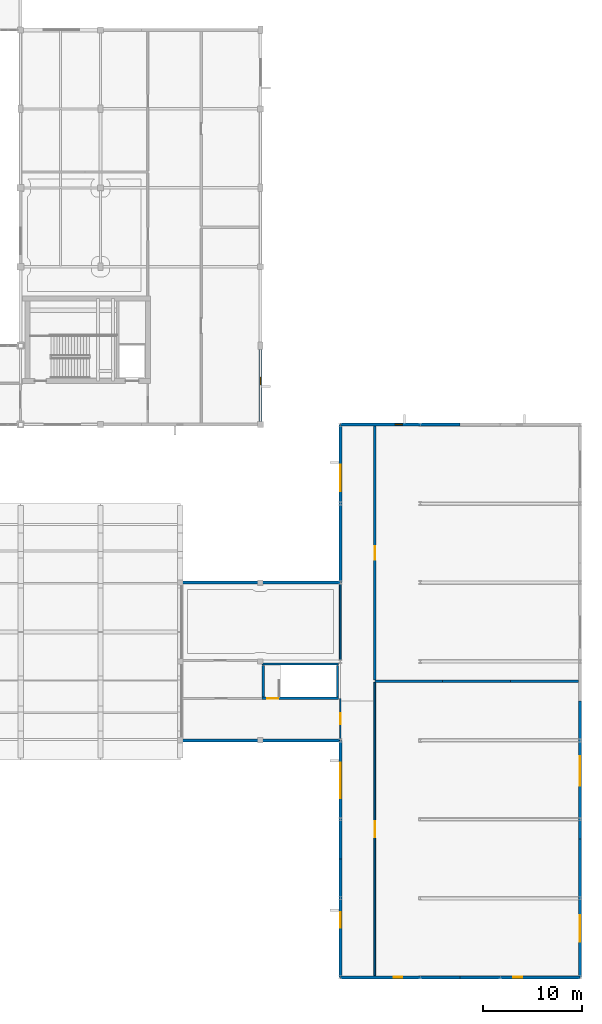
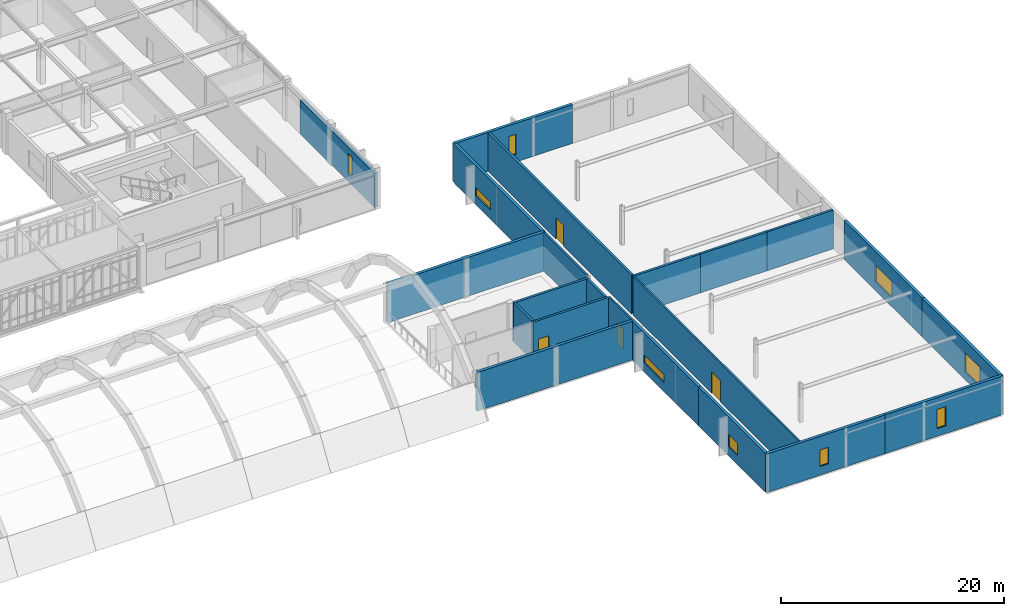
# One storey, part 55 of 67: 22 walls, 9 windows, 4 doors, 13 openings.
"""IFC4 building model written with IfcOpenShell, lengths in metres."""

from ifc_helpers import new_model, si_unit, direction, frame, frame_2d, origin, place, context, subcontext, project, spatial, rectangle, extrude, material, layer, layer_set, type_object, element, fill, save


model = new_model("IFC4")

# Units and contexts
model_context = context("Model", 3, precision=1e-05, world=origin(), true_north=direction((0.0, 1.0)))
body_context = subcontext(model_context, "Body", "Model", "MODEL_VIEW")
ifc_project = project(units=[si_unit("LENGTHUNIT", "METRE"), si_unit("AREAUNIT", "SQUARE_METRE"), si_unit("VOLUMEUNIT", "CUBIC_METRE"), si_unit("PLANEANGLEUNIT", "RADIAN"), si_unit("MASSUNIT", "GRAM", prefix="KILO")], contexts=[model_context])

# Site, building, storey
site_placement = place(None, origin())
site = spatial("IfcSite", under=ifc_project, at=site_placement, CompositionType="ELEMENT")
building_placement = place(site_placement, origin())
building = spatial("IfcBuilding", under=site, at=building_placement, Name="Tarnveldt Square Police Headquarters", CompositionType="ELEMENT")
storey_placement = place(building_placement, frame((0.0, 0.0, 10.199951171875)))
storey = spatial("IfcBuildingStorey", under=building, at=storey_placement, Name="L02", CompositionType="ELEMENT", Elevation=10.199951171875)

# Wall, opening, window
ifc_material_1 = material(Name="Concrete 40 MPa", Category="concrete")
ifc_layer_1 = layer(ifc_material_1, 0.320068359375)
ifc_layer_set_1 = layer_set([ifc_layer_1], Name="Concrete 40 MPa")
wall_type_1 = type_object("IfcWallType", Name="WL-EXT-BH320", PredefinedType="SOLIDWALL", material=ifc_layer_set_1)
wall_1_placement = place(storey_placement, frame((129.60009765625, 56.0, 0.0), z_axis=(0.0, 0.0, 1.0), x_axis=(0.0, 1.0, 0.0)))
wall_1 = element("IfcWall", 1, at=wall_1_placement, inside=storey, type_object=wall_type_1, Name="L02 Brutalist Exterior Wall 0123", PredefinedType="SOLIDWALL", context=body_context, shape_type="SweptSolid", body=[
    extrude(rectangle(XDim=13.333251953125, YDim=0.320068359375, at=frame_2d((6.66650390625, 0.0))), origin(), (0.0, 0.0, 1.0), 3.73193359375),
])
opening_1_placement = place(wall_1_placement, frame((4.050048828125, 0.0, 0.85009765625)))
opening_1 = element("IfcOpeningElement", 2, at=opening_1_placement, cuts=wall_1, Name="Opening W21", PredefinedType="OPENING", context=body_context, shape_type="SweptSolid", body=[
    extrude(rectangle(XDim=0.75, YDim=2.199951171875, at=frame_2d((0.375, 1.10009765625))), frame((0.0, 0.169921875, 0.0), z_axis=(0.0, -1.0, 0.0), x_axis=(1.0, 0.0, 0.0)), (0.0, 0.0, 1.0), 0.340087890625),
])
ifc_material_2 = material(Name="Triple-glazed low-e laminated vision glass", Category="glass")
window_type_1 = type_object("IfcWindowType", Name="WIN-SLT-075x220", PartitioningType="SINGLE_PANEL", PredefinedType="WINDOW", material=ifc_material_2)
window_1_placement = place(opening_1_placement, origin())
window_1 = element("IfcWindow", 3, at=window_1_placement, inside=storey, type_object=window_type_1, Name="L02 Deep-Reveal Brutalist Window 0045", OverallHeight=2.199951171875, OverallWidth=0.75, PartitioningType="SINGLE_PANEL", PredefinedType="WINDOW", context=body_context, shape_type="SweptSolid", body=[
    extrude(rectangle(XDim=0.75, YDim=2.199951171875, at=frame_2d((0.375, 1.10009765625))), frame((0.0, 0.030029296875, 0.0), z_axis=(0.0, -1.0, 0.0), x_axis=(1.0, 0.0, 0.0)), (0.0, 0.0, 1.0), 0.06005859375),
])
fill(opening_1, window_1)

# Wall
wall_2_placement = place(storey_placement, frame((137.699951171875, 40.0, 0.0), z_axis=(0.0, 0.0, 1.0), x_axis=(-1.0, 0.0, 0.0)))
element("IfcWall", 4, at=wall_2_placement, inside=storey, type_object=wall_type_1, Name="L02 Brutalist Exterior Wall 0155", PredefinedType="SOLIDWALL", context=body_context, shape_type="SweptSolid", body=[
    extrude(rectangle(XDim=16.199951171875, YDim=0.320068359375, at=frame_2d((8.10009765625, 0.0))), origin(), (0.0, 0.0, 1.0), 4.239990234375),
])

# Wall, opening, window
ifc_material_3 = material(Name="Manganese ironspot clay brick masonry 20 MPa", Category="masonry")
ifc_layer_2 = layer(ifc_material_3, 0.300048828125)
ifc_layer_set_2 = layer_set([ifc_layer_2], Name="Manganese ironspot clay brick masonry 20 MPa")
wall_type_2 = type_object("IfcWallType", Name="WL-EXT-BRK300", PredefinedType="SOLIDWALL", material=ifc_layer_set_2)
wall_3_placement = place(storey_placement, frame((162.0, 0.0, 0.0), z_axis=(0.0, 0.0, 1.0), x_axis=(0.0, 1.0, 0.0)))
wall_3 = element("IfcWall", 5, at=wall_3_placement, inside=storey, type_object=wall_type_2, Name="L02 Brutalist Exterior Wall 0148", PredefinedType="SOLIDWALL", context=body_context, shape_type="SweptSolid", body=[
    extrude(rectangle(XDim=14.0, YDim=0.300048828125, at=frame_2d((7.0, 0.0))), origin(), (0.0, 0.0, 1.0), 4.239990234375),
])
opening_2_placement = place(wall_3_placement, frame((3.60009765625, 0.0, 0.85009765625)))
opening_2 = element("IfcOpeningElement", 6, at=opening_2_placement, cuts=wall_3, Name="Opening W16", PredefinedType="OPENING", context=body_context, shape_type="SweptSolid", body=[
    extrude(rectangle(XDim=2.699951171875, YDim=2.10009765625, at=frame_2d((1.35009765625, 1.050048828125))), frame((0.0, 0.159912109375, 0.0), z_axis=(0.0, -1.0, 0.0), x_axis=(1.0, 0.0, 0.0)), (0.0, 0.0, 1.0), 0.320068359375),
])
window_type_2 = type_object("IfcWindowType", Name="WIN-DR-270x210", PartitioningType="TRIPLE_PANEL_VERTICAL", PredefinedType="WINDOW", material=ifc_material_2)
window_2_placement = place(opening_2_placement, origin())
window_2 = element("IfcWindow", 7, at=window_2_placement, inside=storey, type_object=window_type_2, Name="L02 Deep-Reveal Brutalist Window 0064", OverallHeight=2.10009765625, OverallWidth=2.699951171875, PartitioningType="TRIPLE_PANEL_VERTICAL", PredefinedType="WINDOW", context=body_context, shape_type="SweptSolid", body=[
    extrude(rectangle(XDim=2.699951171875, YDim=2.10009765625, at=frame_2d((1.35009765625, 1.050048828125))), frame((0.0, 0.030029296875, 0.0), z_axis=(0.0, -1.0, 0.0), x_axis=(1.0, 0.0, 0.0)), (0.0, 0.0, 1.0), 0.06005859375),
])
fill(opening_2, window_2)

wall_4_placement = place(storey_placement, frame((162.0, 14.0, 0.0), z_axis=(0.0, 0.0, 1.0), x_axis=(0.0, 1.0, 0.0)))
wall_4 = element("IfcWall", 8, at=wall_4_placement, inside=storey, type_object=wall_type_2, Name="L02 Brutalist Exterior Wall 0149", PredefinedType="SOLIDWALL", context=body_context, shape_type="SweptSolid", body=[
    extrude(rectangle(XDim=14.0, YDim=0.300048828125, at=frame_2d((7.0, 0.0))), origin(), (0.0, 0.0, 1.0), 4.239990234375),
])
opening_3_placement = place(wall_4_placement, frame((5.39990234375, 0.0, 0.949951171875)))
opening_3 = element("IfcOpeningElement", 9, at=opening_3_placement, cuts=wall_4, Name="Opening W17", PredefinedType="OPENING", context=body_context, shape_type="SweptSolid", body=[
    extrude(rectangle(XDim=3.0, YDim=1.800048828125, at=frame_2d((1.5, 0.89990234375))), frame((0.0, 0.159912109375, 0.0), z_axis=(0.0, -1.0, 0.0), x_axis=(1.0, 0.0, 0.0)), (0.0, 0.0, 1.0), 0.320068359375),
])
window_type_3 = type_object("IfcWindowType", Name="WIN-DR-300x180", PartitioningType="TRIPLE_PANEL_VERTICAL", PredefinedType="WINDOW", material=ifc_material_2)
window_3_placement = place(opening_3_placement, origin())
window_3 = element("IfcWindow", 10, at=window_3_placement, inside=storey, type_object=window_type_3, Name="L02 Deep-Reveal Brutalist Window 0065", OverallHeight=1.800048828125, OverallWidth=3.0, PartitioningType="TRIPLE_PANEL_VERTICAL", PredefinedType="WINDOW", context=body_context, shape_type="SweptSolid", body=[
    extrude(rectangle(XDim=3.0, YDim=1.800048828125, at=frame_2d((1.5, 0.89990234375))), frame((0.0, 0.030029296875, 0.0), z_axis=(0.0, -1.0, 0.0), x_axis=(1.0, 0.0, 0.0)), (0.0, 0.0, 1.0), 0.06005859375),
])
fill(opening_3, window_3)

wall_5_placement = place(storey_placement, frame((149.85009765625, 56.0, 0.0), z_axis=(0.0, 0.0, 1.0), x_axis=(-1.0, 0.0, 0.0)))
wall_5 = element("IfcWall", 11, at=wall_5_placement, inside=storey, type_object=wall_type_2, Name="L02 Brutalist Exterior Wall 0153", PredefinedType="SOLIDWALL", context=body_context, shape_type="SweptSolid", body=[
    extrude(rectangle(XDim=12.150146484375, YDim=0.300048828125, at=frame_2d((6.0751953125, 0.0))), origin(), (0.0, 0.0, 1.0), 4.239990234375),
])
opening_4_placement = place(wall_5_placement, frame((5.85009765625, 0.0, 0.85009765625)))
opening_4 = element("IfcOpeningElement", 12, at=opening_4_placement, cuts=wall_5, Name="Opening W21", PredefinedType="OPENING", context=body_context, shape_type="SweptSolid", body=[
    extrude(rectangle(XDim=0.75, YDim=2.199951171875, at=frame_2d((0.375, 1.10009765625))), frame((0.0, 0.159912109375, 0.0), z_axis=(0.0, -1.0, 0.0), x_axis=(1.0, 0.0, 0.0)), (0.0, 0.0, 1.0), 0.320068359375),
])
window_4_placement = place(opening_4_placement, origin())
window_4 = element("IfcWindow", 13, at=window_4_placement, inside=storey, type_object=window_type_1, Name="L02 Deep-Reveal Brutalist Window 0069", OverallHeight=2.199951171875, OverallWidth=0.75, PartitioningType="SINGLE_PANEL", PredefinedType="WINDOW", context=body_context, shape_type="SweptSolid", body=[
    extrude(rectangle(XDim=0.75, YDim=2.199951171875, at=frame_2d((0.375, 1.10009765625))), frame((0.0, 0.030029296875, 0.0), z_axis=(0.0, -1.0, 0.0), x_axis=(1.0, 0.0, 0.0)), (0.0, 0.0, 1.0), 0.06005859375),
])
fill(opening_4, window_4)

wall_6_placement = place(storey_placement, frame((137.699951171875, 56.0, 0.0), z_axis=(0.0, 0.0, 1.0), x_axis=(0.0, -1.0, 0.0)))
wall_6 = element("IfcWall", 14, at=wall_6_placement, inside=storey, type_object=wall_type_2, Name="L02 Brutalist Exterior Wall 0154", PredefinedType="SOLIDWALL", context=body_context, shape_type="SweptSolid", body=[
    extrude(rectangle(XDim=16.0, YDim=0.300048828125, at=frame_2d((8.0, 0.0))), origin(), (0.0, 0.0, 1.0), 4.239990234375),
])
opening_5_placement = place(wall_6_placement, frame((4.050048828125, 0.0, 0.949951171875)))
opening_5 = element("IfcOpeningElement", 15, at=opening_5_placement, cuts=wall_6, Name="Opening W22", PredefinedType="OPENING", context=body_context, shape_type="SweptSolid", body=[
    extrude(rectangle(XDim=2.699951171875, YDim=0.89990234375, at=frame_2d((1.35009765625, 0.449951171875))), frame((0.0, 0.159912109375, 0.0), z_axis=(0.0, -1.0, 0.0), x_axis=(1.0, 0.0, 0.0)), (0.0, 0.0, 1.0), 0.320068359375),
])
window_type_4 = type_object("IfcWindowType", Name="WIN-CLR-270x090", PartitioningType="TRIPLE_PANEL_VERTICAL", PredefinedType="WINDOW", material=ifc_material_2)
window_5_placement = place(opening_5_placement, origin())
window_5 = element("IfcWindow", 16, at=window_5_placement, inside=storey, type_object=window_type_4, Name="L02 Deep-Reveal Brutalist Window 0070", OverallHeight=0.89990234375, OverallWidth=2.699951171875, PartitioningType="TRIPLE_PANEL_VERTICAL", PredefinedType="WINDOW", context=body_context, shape_type="SweptSolid", body=[
    extrude(rectangle(XDim=2.699951171875, YDim=0.89990234375, at=frame_2d((1.35009765625, 0.449951171875))), frame((0.0, 0.030029296875, 0.0), z_axis=(0.0, -1.0, 0.0), x_axis=(1.0, 0.0, 0.0)), (0.0, 0.0, 1.0), 0.06005859375),
])
fill(opening_5, window_5)

# Wall
wall_7_placement = place(storey_placement, frame((121.5, 24.0, 0.0), z_axis=(0.0, 0.0, 1.0), x_axis=(1.0, 0.0, 0.0)))
element("IfcWall", 17, at=wall_7_placement, inside=storey, type_object=wall_type_2, Name="L02 Brutalist Exterior Wall 0156", PredefinedType="SOLIDWALL", context=body_context, shape_type="SweptSolid", body=[
    extrude(rectangle(XDim=16.199951171875, YDim=0.300048828125, at=frame_2d((8.10009765625, 0.0))), origin(), (0.0, 0.0, 1.0), 4.239990234375),
])

# Wall, opening, window
wall_8_placement = place(storey_placement, frame((137.699951171875, 24.0, 0.0), z_axis=(0.0, 0.0, 1.0), x_axis=(0.0, -1.0, 0.0)))
wall_8 = element("IfcWall", 18, at=wall_8_placement, inside=storey, type_object=wall_type_2, Name="L02 Brutalist Exterior Wall 0157", PredefinedType="SOLIDWALL", context=body_context, shape_type="SweptSolid", body=[
    extrude(rectangle(XDim=12.0, YDim=0.300048828125, at=frame_2d((6.0, 0.0))), origin(), (0.0, 0.0, 1.0), 4.239990234375),
])
opening_6_placement = place(wall_8_placement, frame((2.25, 0.0, 0.949951171875)))
opening_6 = element("IfcOpeningElement", 19, at=opening_6_placement, cuts=wall_8, Name="Opening W23", PredefinedType="OPENING", context=body_context, shape_type="SweptSolid", body=[
    extrude(rectangle(XDim=3.60009765625, YDim=0.89990234375, at=frame_2d((1.800048828125, 0.449951171875))), frame((0.0, 0.159912109375, 0.0), z_axis=(0.0, -1.0, 0.0), x_axis=(1.0, 0.0, 0.0)), (0.0, 0.0, 1.0), 0.320068359375),
])
window_type_5 = type_object("IfcWindowType", Name="WIN-CLR-360x090", PartitioningType="TRIPLE_PANEL_VERTICAL", PredefinedType="WINDOW", material=ifc_material_2)
window_6_placement = place(opening_6_placement, origin())
window_6 = element("IfcWindow", 20, at=window_6_placement, inside=storey, type_object=window_type_5, Name="L02 Deep-Reveal Brutalist Window 0071", OverallHeight=0.89990234375, OverallWidth=3.60009765625, PartitioningType="TRIPLE_PANEL_VERTICAL", PredefinedType="WINDOW", context=body_context, shape_type="SweptSolid", body=[
    extrude(rectangle(XDim=3.60009765625, YDim=0.89990234375, at=frame_2d((1.800048828125, 0.449951171875))), frame((0.0, 0.030029296875, 0.0), z_axis=(0.0, -1.0, 0.0), x_axis=(1.0, 0.0, 0.0)), (0.0, 0.0, 1.0), 0.06005859375),
])
fill(opening_6, window_6)

wall_9_placement = place(storey_placement, frame((137.699951171875, 12.0, 0.0), z_axis=(0.0, 0.0, 1.0), x_axis=(0.0, -1.0, 0.0)))
wall_9 = element("IfcWall", 21, at=wall_9_placement, inside=storey, type_object=wall_type_2, Name="L02 Brutalist Exterior Wall 0158", PredefinedType="SOLIDWALL", context=body_context, shape_type="SweptSolid", body=[
    extrude(rectangle(XDim=12.0, YDim=0.300048828125, at=frame_2d((6.0, 0.0))), origin(), (0.0, 0.0, 1.0), 4.239990234375),
])
opening_7_placement = place(wall_9_placement, frame((5.39990234375, 0.0, 0.949951171875)))
opening_7 = element("IfcOpeningElement", 22, at=opening_7_placement, cuts=wall_9, Name="Opening W24", PredefinedType="OPENING", context=body_context, shape_type="SweptSolid", body=[
    extrude(rectangle(XDim=1.60009765625, YDim=1.39990234375, at=frame_2d((0.800048828125, 0.699951171875))), frame((0.0, 0.159912109375, 0.0), z_axis=(0.0, -1.0, 0.0), x_axis=(1.0, 0.0, 0.0)), (0.0, 0.0, 1.0), 0.320068359375),
])
ifc_material_4 = material(Name="UL 752 Level III laminated ballistic vision glass", Category="glass")
window_type_6 = type_object("IfcWindowType", Name="WIN-BAL-160x140", PartitioningType="SINGLE_PANEL", PredefinedType="WINDOW", material=ifc_material_4)
window_7_placement = place(opening_7_placement, origin())
window_7 = element("IfcWindow", 23, at=window_7_placement, inside=storey, type_object=window_type_6, Name="L02 Deep-Reveal Brutalist Window 0072", OverallHeight=1.39990234375, OverallWidth=1.60009765625, PartitioningType="SINGLE_PANEL", PredefinedType="WINDOW", context=body_context, shape_type="SweptSolid", body=[
    extrude(rectangle(XDim=1.60009765625, YDim=1.39990234375, at=frame_2d((0.800048828125, 0.699951171875))), frame((0.0, 0.030029296875, 0.0), z_axis=(0.0, -1.0, 0.0), x_axis=(1.0, 0.0, 0.0)), (0.0, 0.0, 1.0), 0.06005859375),
])
fill(opening_7, window_7)

wall_10_placement = place(storey_placement, frame((137.699951171875, 0.0, 0.0), z_axis=(0.0, 0.0, 1.0), x_axis=(1.0, 0.0, 0.0)))
wall_10 = element("IfcWall", 24, at=wall_10_placement, inside=storey, type_object=wall_type_2, Name="L02 Brutalist Exterior Wall 0159", PredefinedType="SOLIDWALL", context=body_context, shape_type="SweptSolid", body=[
    extrude(rectangle(XDim=12.150146484375, YDim=0.300048828125, at=frame_2d((6.0751953125, 0.0))), origin(), (0.0, 0.0, 1.0), 4.239990234375),
])
opening_8_placement = place(wall_10_placement, frame((5.39990234375, 0.0, 0.949951171875)))
opening_8 = element("IfcOpeningElement", 25, at=opening_8_placement, cuts=wall_10, Name="Opening W01", PredefinedType="OPENING", context=body_context, shape_type="SweptSolid", body=[
    extrude(rectangle(XDim=0.89990234375, YDim=1.800048828125, at=frame_2d((0.449951171875, 0.89990234375))), frame((0.0, 0.159912109375, 0.0), z_axis=(0.0, -1.0, 0.0), x_axis=(1.0, 0.0, 0.0)), (0.0, 0.0, 1.0), 0.320068359375),
])
window_type_7 = type_object("IfcWindowType", Name="WIN-DR-090x180", PartitioningType="SINGLE_PANEL", PredefinedType="WINDOW", material=ifc_material_2)
window_8_placement = place(opening_8_placement, origin())
window_8 = element("IfcWindow", 26, at=window_8_placement, inside=storey, type_object=window_type_7, Name="L02 Deep-Reveal Brutalist Window 0073", OverallHeight=1.800048828125, OverallWidth=0.89990234375, PartitioningType="SINGLE_PANEL", PredefinedType="WINDOW", context=body_context, shape_type="SweptSolid", body=[
    extrude(rectangle(XDim=0.89990234375, YDim=1.800048828125, at=frame_2d((0.449951171875, 0.89990234375))), frame((0.0, 0.030029296875, 0.0), z_axis=(0.0, -1.0, 0.0), x_axis=(1.0, 0.0, 0.0)), (0.0, 0.0, 1.0), 0.06005859375),
])
fill(opening_8, window_8)

wall_11_placement = place(storey_placement, frame((149.85009765625, 0.0, 0.0), z_axis=(0.0, 0.0, 1.0), x_axis=(1.0, 0.0, 0.0)))
wall_11 = element("IfcWall", 27, at=wall_11_placement, inside=storey, type_object=wall_type_2, Name="L02 Brutalist Exterior Wall 0160", PredefinedType="SOLIDWALL", context=body_context, shape_type="SweptSolid", body=[
    extrude(rectangle(XDim=12.14990234375, YDim=0.300048828125, at=frame_2d((6.074951171875, 0.0))), origin(), (0.0, 0.0, 1.0), 4.239990234375),
])
opening_9_placement = place(wall_11_placement, frame((5.39990234375, 0.0, 0.85009765625)))
opening_9 = element("IfcOpeningElement", 28, at=opening_9_placement, cuts=wall_11, Name="Opening W02", PredefinedType="OPENING", context=body_context, shape_type="SweptSolid", body=[
    extrude(rectangle(XDim=0.89990234375, YDim=2.10009765625, at=frame_2d((0.449951171875, 1.050048828125))), frame((0.0, 0.159912109375, 0.0), z_axis=(0.0, -1.0, 0.0), x_axis=(1.0, 0.0, 0.0)), (0.0, 0.0, 1.0), 0.320068359375),
])
window_type_8 = type_object("IfcWindowType", Name="WIN-DR-090x210", PartitioningType="SINGLE_PANEL", PredefinedType="WINDOW", material=ifc_material_2)
window_9_placement = place(opening_9_placement, origin())
window_9 = element("IfcWindow", 29, at=window_9_placement, inside=storey, type_object=window_type_8, Name="L02 Deep-Reveal Brutalist Window 0074", OverallHeight=2.10009765625, OverallWidth=0.89990234375, PartitioningType="SINGLE_PANEL", PredefinedType="WINDOW", context=body_context, shape_type="SweptSolid", body=[
    extrude(rectangle(XDim=0.89990234375, YDim=2.10009765625, at=frame_2d((0.449951171875, 1.050048828125))), frame((0.0, 0.030029296875, 0.0), z_axis=(0.0, -1.0, 0.0), x_axis=(1.0, 0.0, 0.0)), (0.0, 0.0, 1.0), 0.06005859375),
])
fill(opening_9, window_9)

# Wall, opening, door
ifc_material_5 = material(Name="Fire-rated Type X gypsum board on steel studs", Category="steel")
ifc_layer_3 = layer(ifc_material_5, 0.179931640625)
ifc_layer_set_3 = layer_set([ifc_layer_3], Name="Fire-rated Type X gypsum board on steel studs")
wall_type_3 = type_object("IfcWallType", Name="WL-FIRE-180", PredefinedType="PARTITIONING", material=ifc_layer_set_3)
wall_12_placement = place(storey_placement, frame((137.699951171875, 24.16943359375, 0.0), z_axis=(0.0, 0.0, 1.0), x_axis=(0.0, 1.0, 0.0)))
wall_12 = element("IfcWall", 30, at=wall_12_placement, inside=storey, type_object=wall_type_3, Name="L02 Interior Partition Wall 0429", PredefinedType="PARTITIONING", context=body_context, shape_type="SweptSolid", body=[
    extrude(rectangle(XDim=4.090576171875, YDim=0.179931640625, at=frame_2d((2.04541015625, 0.0))), origin(), (0.0, 0.0, 1.0), 4.239990234375),
])
opening_10_placement = place(wall_12_placement, frame((1.495361328125, 0.0, 0.0)))
opening_10 = element("IfcOpeningElement", 31, at=opening_10_placement, cuts=wall_12, Name="Opening D15", PredefinedType="OPENING", context=body_context, shape_type="SweptSolid", body=[
    extrude(rectangle(XDim=1.10009765625, YDim=2.199951171875, at=frame_2d((0.550048828125, 1.10009765625))), frame((0.0, 0.099853515625, 0.0), z_axis=(0.0, -1.0, 0.0), x_axis=(1.0, 0.0, 0.0)), (0.0, 0.0, 1.0), 0.199951171875),
])
ifc_material_6 = material(Name="Insulated hollow metal steel door leaf", Category="steel")
door_type_1 = type_object("IfcDoorType", Name="DR-FD60-1100", OperationType="NOTDEFINED", PredefinedType="DOOR", material=ifc_material_6)
door_1_placement = place(opening_10_placement, origin())
door_1 = element("IfcDoor", 32, at=door_1_placement, inside=storey, type_object=door_type_1, Name="East Dojo Access Corridor Door", OperationType="SINGLE_SWING_LEFT", OverallHeight=2.199951171875, OverallWidth=1.10009765625, PredefinedType="DOOR", context=body_context, shape_type="SweptSolid", body=[
    extrude(rectangle(XDim=1.10009765625, YDim=2.199951171875, at=frame_2d((0.550048828125, 1.10009765625))), frame((0.0, 0.02490234375, 0.0), z_axis=(0.0, -1.0, 0.0), x_axis=(1.0, 0.0, 0.0)), (0.0, 0.0, 1.0), 0.050048828125),
])
fill(opening_10, door_1)

# Wall
wall_13_placement = place(storey_placement, frame((137.699951171875, 32.16943359375, 0.0), z_axis=(0.0, 0.0, 1.0), x_axis=(0.0, 1.0, 0.0)))
element("IfcWall", 33, at=wall_13_placement, inside=storey, type_object=wall_type_3, Name="L02 Interior Partition Wall 0430", PredefinedType="PARTITIONING", context=body_context, shape_type="SweptSolid", body=[
    extrude(rectangle(XDim=7.6611328125, YDim=0.179931640625, at=frame_2d((3.83056640625, 0.0))), origin(), (0.0, 0.0, 1.0), 4.239990234375),
])

# Wall, opening, door
wall_14_placement = place(storey_placement, frame((141.199951171875, 0.157958984375, 0.0), z_axis=(0.0, 0.0, 1.0), x_axis=(0.0, 1.0, 0.0)))
wall_14 = element("IfcWall", 34, at=wall_14_placement, inside=storey, type_object=wall_type_3, Name="L02 Interior Partition Wall 0431", PredefinedType="PARTITIONING", context=body_context, shape_type="SweptSolid", body=[
    extrude(rectangle(XDim=29.714111328125, YDim=0.179931640625, at=frame_2d((14.85693359375, 0.0))), origin(), (0.0, 0.0, 1.0), 4.239990234375),
])
opening_11_placement = place(wall_14_placement, frame((14.056884765625, 0.0, 0.0)))
opening_11 = element("IfcOpeningElement", 35, at=opening_11_placement, cuts=wall_14, Name="Opening D23", PredefinedType="OPENING", context=body_context, shape_type="SweptSolid", body=[
    extrude(rectangle(XDim=1.60009765625, YDim=2.35009765625, at=frame_2d((0.800048828125, 1.175048828125))), frame((0.0, 0.099853515625, 0.0), z_axis=(0.0, -1.0, 0.0), x_axis=(1.0, 0.0, 0.0)), (0.0, 0.0, 1.0), 0.199951171875),
])
ifc_material_7 = material(Name="Solid core architectural birch door leaf", Category="wood")
door_type_2 = type_object("IfcDoorType", Name="DR-PAIR-1600", OperationType="DOUBLE_DOOR_SINGLE_SWING", PredefinedType="DOOR", material=ifc_material_7)
door_2_placement = place(opening_11_placement, frame((1.60009765625, 0.0, 0.0), z_axis=(0.0, 0.0, 1.0), x_axis=(-1.0, 0.0, 0.0)))
door_2 = element("IfcDoor", 36, at=door_2_placement, inside=storey, type_object=door_type_2, Name="Defensive Tactics Mat Gymnasium Door", OperationType="DOUBLE_DOOR_SINGLE_SWING", OverallHeight=2.35009765625, OverallWidth=1.60009765625, PredefinedType="DOOR", context=body_context, shape_type="SweptSolid", body=[
    extrude(rectangle(XDim=1.60009765625, YDim=2.35009765625, at=frame_2d((0.800048828125, 1.175048828125))), frame((0.0, 0.02490234375, 0.0), z_axis=(0.0, -1.0, 0.0), x_axis=(1.0, 0.0, 0.0)), (0.0, 0.0, 1.0), 0.050048828125),
])
fill(opening_11, door_2)

ifc_material_8 = material(Name="Concrete block masonry 15 MPa", Category="masonry")
ifc_layer_4 = layer(ifc_material_8, 0.239990234375)
ifc_layer_set_4 = layer_set([ifc_layer_4], Name="Concrete block masonry 15 MPa")
wall_type_4 = type_object("IfcWallType", Name="WL-FIRE-240", PredefinedType="PARTITIONING", material=ifc_layer_set_4)
wall_15_placement = place(storey_placement, frame((129.760009765625, 28.260009765625, 0.0), z_axis=(0.0, 0.0, 1.0), x_axis=(1.0, 0.0, 0.0)))
wall_15 = element("IfcWall", 37, at=wall_15_placement, inside=storey, type_object=wall_type_4, Name="Exit Stair ST7 L02 S Enclosure Wall", PredefinedType="PARTITIONING", context=body_context, shape_type="SweptSolid", body=[
    extrude(rectangle(XDim=7.780029296875, YDim=0.239990234375, at=frame_2d((3.89013671875, 0.0))), origin(), (0.0, 0.0, 1.0), 4.239990234375),
])
opening_12_placement = place(wall_15_placement, frame((0.5400390625, 0.0, 0.0)))
opening_12 = element("IfcOpeningElement", 38, at=opening_12_placement, cuts=wall_15, Name="Opening D-ST7-L02", PredefinedType="OPENING", context=body_context, shape_type="SweptSolid", body=[
    extrude(rectangle(XDim=1.10009765625, YDim=2.199951171875, at=frame_2d((0.550048828125, 1.10009765625))), frame((0.0, 0.1298828125, 0.0), z_axis=(0.0, -1.0, 0.0), x_axis=(1.0, 0.0, 0.0)), (0.0, 0.0, 1.0), 0.260009765625),
])
door_type_3 = type_object("IfcDoorType", Name="DR-FD90-1100", OperationType="NOTDEFINED", PredefinedType="DOOR", material=ifc_material_6)
door_3_placement = place(opening_12_placement, origin())
door_3 = element("IfcDoor", 39, at=door_3_placement, inside=storey, type_object=door_type_3, Name="Exit Stair ST7 L02 Fire Door", OperationType="SINGLE_SWING_RIGHT", OverallHeight=2.199951171875, OverallWidth=1.10009765625, PredefinedType="DOOR", context=body_context, shape_type="SweptSolid", body=[
    extrude(rectangle(XDim=1.10009765625, YDim=2.199951171875, at=frame_2d((0.550048828125, 1.10009765625))), frame((0.0, 0.02490234375, 0.0), z_axis=(0.0, -1.0, 0.0), x_axis=(1.0, 0.0, 0.0)), (0.0, 0.0, 1.0), 0.050048828125),
])
fill(opening_12, door_3)

# Walls
wall_16_placement = place(storey_placement, frame((129.760009765625, 31.739990234375, 0.0), z_axis=(0.0, 0.0, 1.0), x_axis=(1.0, 0.0, 0.0)))
element("IfcWall", 40, at=wall_16_placement, inside=storey, type_object=wall_type_4, Name="Exit Stair ST7 L02 N Enclosure Wall", PredefinedType="PARTITIONING", context=body_context, shape_type="SweptSolid", body=[
    extrude(rectangle(XDim=7.780029296875, YDim=0.239990234375, at=frame_2d((3.89013671875, 0.0))), origin(), (0.0, 0.0, 1.0), 4.239990234375),
])
for number, where, z_axis, x_axis, name in (
    (41, (129.8798828125, 28.389892578125, 0.0), (0.0, 0.0, 1.0), (0.0, 1.0, 0.0), "Exit Stair ST7 L02 W Enclosure Wall"),
    (42, (137.419921875, 28.389892578125, 0.0), (0.0, 0.0, 1.0), (0.0, 1.0, 0.0), "Exit Stair ST7 L02 E Enclosure Wall"),
):
    element("IfcWall", number, at=place(storey_placement, frame(where, z_axis=z_axis, x_axis=x_axis)), inside=storey, type_object=wall_type_4, Name=name, PredefinedType="PARTITIONING", context=body_context, shape_type="SweptSolid", body=[
        extrude(rectangle(XDim=3.22021484375, YDim=0.239990234375, at=frame_2d((1.610107421875, 0.0))), origin(), (0.0, 0.0, 1.0), 4.239990234375),
    ])
wall_17_placement = place(storey_placement, frame((141.199951171875, 30.0, 0.0), z_axis=(0.0, 0.0, 1.0), x_axis=(1.0, 0.0, 0.0)))
element("IfcWall", 43, at=wall_17_placement, inside=storey, type_object=wall_type_4, Name="L02 Interior Partition Wall 0375", PredefinedType="PARTITIONING", context=body_context, shape_type="SweptSolid", body=[
    extrude(rectangle(XDim=6.880615234375, YDim=0.239990234375, at=frame_2d((3.4404296875, 0.0))), origin(), (0.0, 0.0, 1.0), 4.239990234375),
])
wall_18_placement = place(storey_placement, frame((148.08056640625, 30.0, 0.0), z_axis=(0.0, 0.0, 1.0), x_axis=(1.0, 0.0, 0.0)))
element("IfcWall", 44, at=wall_18_placement, inside=storey, type_object=wall_type_4, Name="L02 Interior Partition Wall 0376", PredefinedType="PARTITIONING", context=body_context, shape_type="SweptSolid", body=[
    extrude(rectangle(XDim=6.880859375, YDim=0.239990234375, at=frame_2d((3.4404296875, 0.0))), origin(), (0.0, 0.0, 1.0), 4.239990234375),
])
wall_19_placement = place(storey_placement, frame((154.96142578125, 30.0, 0.0), z_axis=(0.0, 0.0, 1.0), x_axis=(1.0, 0.0, 0.0)))
element("IfcWall", 45, at=wall_19_placement, inside=storey, type_object=wall_type_4, Name="L02 Interior Partition Wall 0377", PredefinedType="PARTITIONING", context=body_context, shape_type="SweptSolid", body=[
    extrude(rectangle(XDim=6.880615234375, YDim=0.239990234375, at=frame_2d((3.4404296875, 0.0))), origin(), (0.0, 0.0, 1.0), 4.239990234375),
])

# Wall, opening, door
wall_20_placement = place(storey_placement, frame((141.199951171875, 30.1279296875, 0.0), z_axis=(0.0, 0.0, 1.0), x_axis=(0.0, 1.0, 0.0)))
wall_20 = element("IfcWall", 46, at=wall_20_placement, inside=storey, type_object=wall_type_4, Name="L02 Interior Partition Wall 0432", PredefinedType="PARTITIONING", context=body_context, shape_type="SweptSolid", body=[
    extrude(rectangle(XDim=25.714111328125, YDim=0.239990234375, at=frame_2d((12.85693359375, 0.0))), origin(), (0.0, 0.0, 1.0), 4.239990234375),
])
opening_13_placement = place(wall_20_placement, frame((12.156982421875, 0.0, 0.0)))
opening_13 = element("IfcOpeningElement", 47, at=opening_13_placement, cuts=wall_20, Name="Opening D21", PredefinedType="OPENING", context=body_context, shape_type="SweptSolid", body=[
    extrude(rectangle(XDim=1.39990234375, YDim=2.35009765625, at=frame_2d((0.699951171875, 1.175048828125))), frame((0.0, 0.1298828125, 0.0), z_axis=(0.0, -1.0, 0.0), x_axis=(1.0, 0.0, 0.0)), (0.0, 0.0, 1.0), 0.260009765625),
])
door_type_4 = type_object("IfcDoorType", Name="DR-FD90-1400", OperationType="DOUBLE_DOOR_SINGLE_SWING", PredefinedType="DOOR", material=ifc_material_6)
door_4_placement = place(opening_13_placement, frame((1.39990234375, 0.0, 0.0), z_axis=(0.0, 0.0, 1.0), x_axis=(-1.0, 0.0, 0.0)))
door_4 = element("IfcDoor", 48, at=door_4_placement, inside=storey, type_object=door_type_4, Name="HEPA Firing-Range Ventilation Plant Room Door", OperationType="DOUBLE_DOOR_SINGLE_SWING", OverallHeight=2.35009765625, OverallWidth=1.39990234375, PredefinedType="DOOR", context=body_context, shape_type="SweptSolid", body=[
    extrude(rectangle(XDim=1.39990234375, YDim=2.35009765625, at=frame_2d((0.699951171875, 1.175048828125))), frame((0.0, 0.02490234375, 0.0), z_axis=(0.0, -1.0, 0.0), x_axis=(1.0, 0.0, 0.0)), (0.0, 0.0, 1.0), 0.050048828125),
])
fill(opening_13, door_4)

save(model, "model.ifc")
